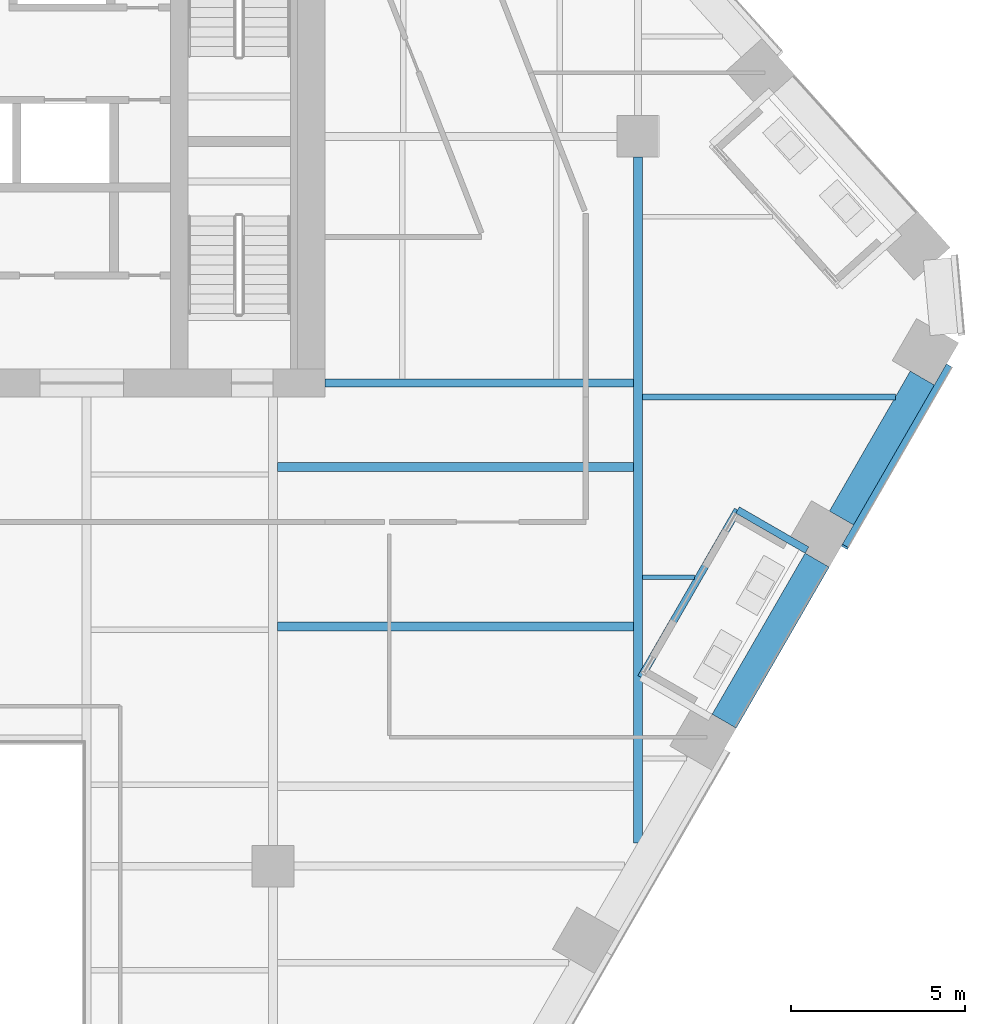
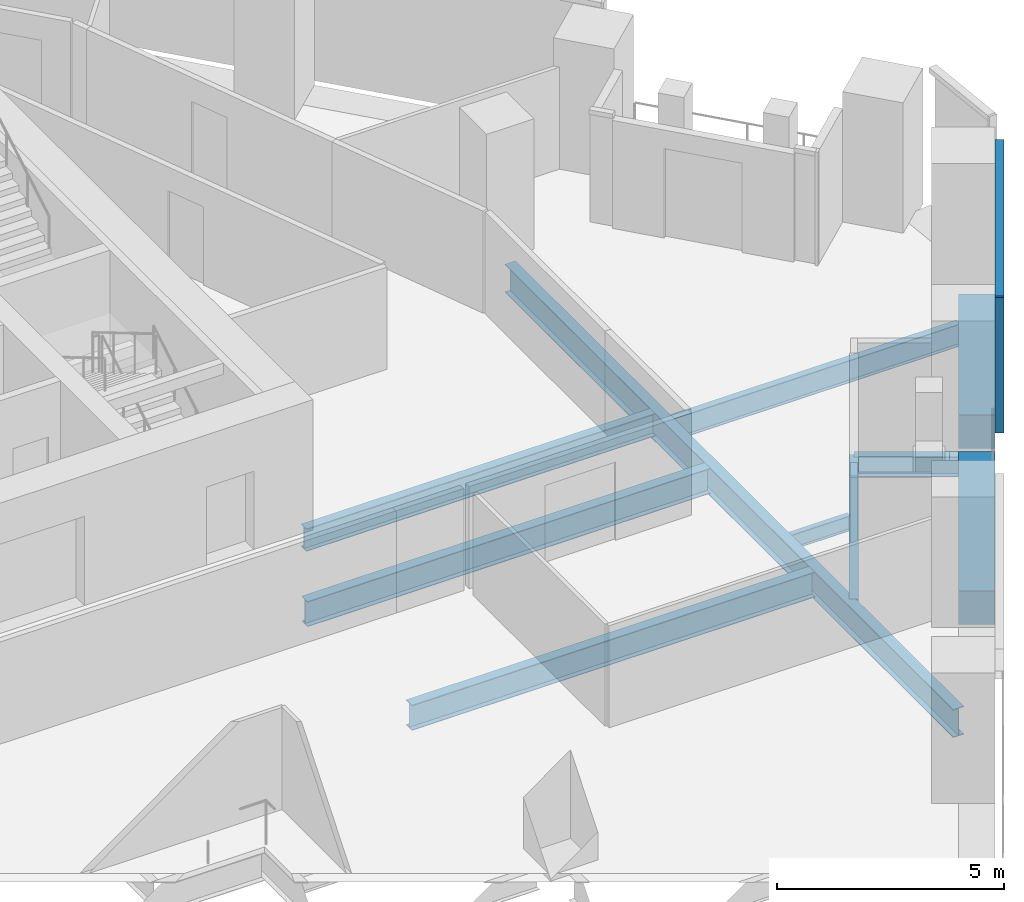
# One storey, part 7 of 26: 10 beams, 2 members, 1 element without a shape of its own.
"""IFC4 building model written with IfcOpenShell, lengths in metres."""

from ifc_helpers import new_model, si_unit, direction, frame, origin, origin_2d, place, context, subcontext, project, spatial, rectangle, i_section, extrude, material, layer, layer_set, material_profile, profile_set, type_object, element, aggregate, save


model = new_model("IFC4")

# Units and contexts
model_context = context("Model", 3, precision=1e-05, world=origin(), true_north=direction((0.0, 1.0)))
body_context = subcontext(model_context, "Body", "Model", "MODEL_VIEW")
ifc_project = project(units=[si_unit("LENGTHUNIT", "METRE"), si_unit("AREAUNIT", "SQUARE_METRE"), si_unit("VOLUMEUNIT", "CUBIC_METRE"), si_unit("PLANEANGLEUNIT", "RADIAN"), si_unit("MASSUNIT", "GRAM", prefix="KILO")], contexts=[model_context])

# Site, building, storey
site_placement = place(None, origin())
site = spatial("IfcSite", under=ifc_project, at=site_placement, CompositionType="ELEMENT")
building_placement = place(site_placement, origin())
building = spatial("IfcBuilding", under=site, at=building_placement, Name="Isthmus Gate Tower", CompositionType="ELEMENT")
storey_placement = place(building_placement, frame((0.0, 0.0, 129.800048828125)))
storey = spatial("IfcBuildingStorey", under=building, at=storey_placement, Name="L31", CompositionType="ELEMENT", Elevation=129.800048828125)

# Curtain wall, members
ifc_material_1 = material(Name="Aluminium, pale champagne anodised", Category="aluminium")
ifc_layer = layer(ifc_material_1, 0.199951171875)
ifc_layer_set = layer_set([ifc_layer], Name="CW-1 UNITISED CURTAIN WALL 200 DEEP")
curtain_wall_type = type_object("IfcCurtainWallType", Name="CW-1 UNITISED CURTAIN WALL 200 DEEP", PredefinedType="NOTDEFINED", material=ifc_layer_set)
curtain_wall_placement = place(storey_placement, origin())
curtain_wall = element("IfcCurtainWall", 1, at=curtain_wall_placement, inside=storey, type_object=curtain_wall_type, Name="CW-1 SE L31", PredefinedType="NOTDEFINED")
ifc_material_2 = material(Name="Aluminium, pale champagne anodised", Category="aluminium")
ifc_material_profile_1 = material_profile(ifc_material_2, rectangle(XDim=0.06005859375, YDim=0.199951171875, at=origin_2d()), Name="60x200")
ifc_profile_set_1 = profile_set([ifc_material_profile_1], Name="Aluminium, pale champagne anodised")
member_type_1 = type_object("IfcMemberType", Name="CW-1 MULLION 60 X 200", PredefinedType="MULLION", material=ifc_profile_set_1)
member_1_placement = place(storey_placement, frame((29.956298828125, -4.314208984375, 0.0), z_axis=(0.0, 0.0, 1.0), x_axis=(0.5, 0.866025403784, 0.0)))
member_1 = element("IfcMember", 2, at=member_1_placement, type_object=member_type_1, Name="CW-1 mullion", PredefinedType="MULLION", context=body_context, shape_type="SweptSolid", body=[
    extrude(rectangle(XDim=0.06005859375, YDim=0.199951171875, at=origin_2d()), origin(), (0.0, 0.0, 1.0), 3.64990234375),
])
ifc_material_3 = material(Name="Aluminium, pale champagne anodised", Category="aluminium")
ifc_material_profile_2 = material_profile(ifc_material_3, rectangle(XDim=0.199951171875, YDim=0.139892578125, at=origin_2d()), Name="200x140")
ifc_profile_set_2 = profile_set([ifc_material_profile_2], Name="Aluminium, pale champagne anodised")
member_type_2 = type_object("IfcMemberType", Name="CW-1 TRANSOM 200 X 140", PredefinedType="USERDEFINED", material=ifc_profile_set_2)
member_2_placement = place(storey_placement, frame((29.97119140625, -4.288330078125, 3.579833984375), z_axis=(0.499996458184, 0.866027448643, 0.0), x_axis=(-0.866027448643, 0.499996458184, 0.0)))
member_2 = element("IfcMember", 3, at=member_2_placement, type_object=member_type_2, Name="CW-1 transom", ObjectType="TRANSOM", PredefinedType="USERDEFINED", context=body_context, shape_type="SweptSolid", body=[
    extrude(rectangle(XDim=0.199951171875, YDim=0.139892578125, at=origin_2d()), origin(), (0.0, 0.0, 1.0), 5.990234375),
])
aggregate(curtain_wall, [member_1, member_2])

# Beams
ifc_material_4 = material(Name="Concrete f'c 60 MPa", Category="concrete")
ifc_material_profile_3 = material_profile(ifc_material_4, rectangle(XDim=0.800048828125, YDim=0.89990234375, at=origin_2d()), Name="RC 800X900")
ifc_profile_set_3 = profile_set([ifc_material_profile_3], Name="Concrete f'c 60 MPa")
beam_type_1 = type_object("IfcBeamType", Name="RC SPANDREL 800 X 900", PredefinedType="SPANDREL", material=ifc_profile_set_3)
beam_1_placement = place(storey_placement, frame((32.183349609375, 0.54296875, -0.449951171875), z_axis=(-0.500023913295, -0.866011596997, 0.0), x_axis=(0.866011596997, -0.500023913295, 0.0)))
element("IfcBeam", 4, at=beam_1_placement, inside=storey, type_object=beam_type_1, Name="str-spandrel-L31-06", PredefinedType="SPANDREL", context=body_context, shape_type="SweptSolid", body=[
    extrude(rectangle(XDim=0.800048828125, YDim=0.89990234375, at=origin_2d()), origin(), (0.0, 0.0, 1.0), 4.650146484375),
])
beam_2_placement = place(storey_placement, frame((29.158203125, -4.696533203125, -0.449951171875), z_axis=(-0.500001594578, -0.866024483152, 0.0), x_axis=(0.866024483152, -0.500001594578, 0.0)))
element("IfcBeam", 5, at=beam_2_placement, inside=storey, type_object=beam_type_1, Name="str-spandrel-L31-07", PredefinedType="SPANDREL", context=body_context, shape_type="SweptSolid", body=[
    extrude(rectangle(XDim=0.800048828125, YDim=0.89990234375, at=origin_2d()), origin(), (0.0, 0.0, 1.0), 5.35009765625),
])
ifc_material_5 = material(Name="Structural steel ASTM A992 Gr 50", Category="steel")
ifc_material_profile_4 = material_profile(ifc_material_5, i_section(OverallWidth=0.1396484375, OverallDepth=0.4033203125, WebThickness=0.00634765625, FlangeThickness=0.010986328125, at=origin_2d()), Name="W16X31")
ifc_profile_set_4 = profile_set([ifc_material_profile_4], Name="Structural steel ASTM A992 Gr 50")
beam_type_2 = type_object("IfcBeamType", Name="STEEL FLOOR BEAM W16X31", PredefinedType="JOIST", material=ifc_profile_set_4)
beam_3_placement = place(storey_placement, frame((24.13330078125, -5.187744140625, -0.3515625), z_axis=(1.0, 0.0, 0.0), x_axis=(0.0, 1.0, 0.0)))
element("IfcBeam", 6, at=beam_3_placement, inside=storey, type_object=beam_type_2, Name="str-beam-L31-19-00", PredefinedType="JOIST", context=body_context, shape_type="SweptSolid", body=[
    extrude(i_section(OverallWidth=0.1396484375, OverallDepth=0.4033203125, WebThickness=0.00634765625, FlangeThickness=0.010986328125, at=origin_2d()), origin(), (0.0, 0.0, 1.0), 1.497314453125),
])
ifc_material_6 = material(Name="Structural steel ASTM A992 Gr 50", Category="steel")
ifc_material_profile_5 = material_profile(ifc_material_6, i_section(OverallWidth=0.177734375, OverallDepth=0.60009765625, WebThickness=0.009521484375, FlangeThickness=0.0126953125, at=origin_2d()), Name="W24X55")
ifc_profile_set_5 = profile_set([ifc_material_profile_5], Name="Structural steel ASTM A992 Gr 50")
beam_type_3 = type_object("IfcBeamType", Name="STEEL FLOOR BEAM W24X55", PredefinedType="JOIST", material=ifc_profile_set_5)
beam_4_placement = place(storey_placement, frame((24.13330078125, -0.00146484375, -0.4501953125), z_axis=(1.0, 0.0, 0.0), x_axis=(0.0, 1.0, 0.0)))
element("IfcBeam", 7, at=beam_4_placement, inside=storey, type_object=beam_type_3, Name="str-beam-L31-19-01", PredefinedType="JOIST", context=body_context, shape_type="SweptSolid", body=[
    extrude(i_section(OverallWidth=0.177734375, OverallDepth=0.60009765625, WebThickness=0.009521484375, FlangeThickness=0.0126953125, at=origin_2d()), origin(), (0.0, 0.0, 1.0), 7.273681640625),
])
ifc_material_7 = material(Name="Structural steel ASTM A992 Gr 50", Category="steel")
ifc_material_profile_6 = material_profile(ifc_material_7, i_section(OverallWidth=0.25390625, OverallDepth=0.679443359375, WebThickness=0.010986328125, FlangeThickness=0.015869140625, at=origin_2d()), Name="W27X84")
ifc_profile_set_6 = profile_set([ifc_material_profile_6], Name="Structural steel ASTM A992 Gr 50")
beam_type_4 = type_object("IfcBeamType", Name="STEEL FLOOR BEAM W27X84", PredefinedType="JOIST", material=ifc_profile_set_6)
for number, where, z_axis, x_axis, name in (
    (8, (13.6318359375, -6.607177734375, -0.48974609375), (1.0, 0.0, 0.0), (0.0, 1.0, 0.0), "str-beam-L31-15-01"),
    (9, (13.6318359375, -2.011962890625, -0.48974609375), (1.0, 0.0, 0.0), (0.0, 1.0, 0.0), "str-beam-L31-15-02"),
):
    element("IfcBeam", number, at=place(storey_placement, frame(where, z_axis=z_axis, x_axis=x_axis)), inside=storey, type_object=beam_type_4, Name=name, PredefinedType="JOIST", context=body_context, shape_type="SweptSolid", body=[
        extrude(i_section(OverallWidth=0.25390625, OverallDepth=0.679443359375, WebThickness=0.010986328125, FlangeThickness=0.015869140625, at=origin_2d()), origin(), (0.0, 0.0, 1.0), 10.23486328125),
    ])
ifc_material_8 = material(Name="Structural steel ASTM A992 Gr 50", Category="steel")
ifc_material_profile_7 = material_profile(ifc_material_8, i_section(OverallWidth=0.228515625, OverallDepth=0.6064453125, WebThickness=0.010986328125, FlangeThickness=0.017578125, at=origin_2d()), Name="W24X76")
ifc_profile_set_7 = profile_set([ifc_material_profile_7], Name="Structural steel ASTM A992 Gr 50")
beam_type_5 = type_object("IfcBeamType", Name="STEEL GIRDER W24X76", PredefinedType="BEAM", material=ifc_profile_set_7)
beam_5_placement = place(storey_placement, frame((15.0, 0.39990234375, -0.453369140625), z_axis=(1.0, 0.0, 0.0), x_axis=(0.0, 1.0, 0.0)))
element("IfcBeam", 10, at=beam_5_placement, inside=storey, type_object=beam_type_5, Name="str-girder-L31-13", PredefinedType="BEAM", context=body_context, shape_type="SweptSolid", body=[
    extrude(i_section(OverallWidth=0.228515625, OverallDepth=0.6064453125, WebThickness=0.010986328125, FlangeThickness=0.017578125, at=origin_2d()), origin(), (0.0, 0.0, 1.0), 8.86669921875),
])
ifc_material_9 = material(Name="Structural steel ASTM A992 Gr 50", Category="steel")
ifc_material_profile_8 = material_profile(ifc_material_9, i_section(OverallWidth=0.2666015625, OverallDepth=0.7587890625, WebThickness=0.014404296875, FlangeThickness=0.01904296875, at=origin_2d()), Name="W30X108")
ifc_profile_set_8 = profile_set([ifc_material_profile_8], Name="Structural steel ASTM A992 Gr 50")
beam_type_6 = type_object("IfcBeamType", Name="STEEL GIRDER W30X108", PredefinedType="BEAM", material=ifc_profile_set_8)
beam_6_placement = place(storey_placement, frame((24.0, -12.830810546875, -0.529541015625), z_axis=(0.0, 1.0, 0.0), x_axis=(-1.0, 0.0, 0.0)))
element("IfcBeam", 11, at=beam_6_placement, inside=storey, type_object=beam_type_6, Name="str-girder-L31-10", PredefinedType="BEAM", context=body_context, shape_type="SweptSolid", body=[
    extrude(i_section(OverallWidth=0.2666015625, OverallDepth=0.7587890625, WebThickness=0.014404296875, FlangeThickness=0.01904296875, at=origin_2d()), origin(), (0.0, 0.0, 1.0), 19.730712890625),
])
ifc_material_10 = material(Name="Structural steel ASTM A992 Gr 50", Category="steel")
ifc_material_profile_9 = material_profile(ifc_material_10, i_section(OverallWidth=0.20947265625, OverallDepth=0.533447265625, WebThickness=0.009521484375, FlangeThickness=0.015869140625, at=origin_2d()), Name="W21X62")
ifc_profile_set_9 = profile_set([ifc_material_profile_9], Name="Structural steel ASTM A992 Gr 50")
beam_type_7 = type_object("IfcBeamType", Name="STEEL TRIMMER W21X62", PredefinedType="BEAM", material=ifc_profile_set_9)
beam_7_placement = place(storey_placement, frame((24.08837890625, -8.068115234375, -0.416748046875), z_axis=(0.50000248139, 0.866023971148, 0.0), x_axis=(-0.866023971148, 0.50000248139, 0.0)))
element("IfcBeam", 12, at=beam_7_placement, inside=storey, type_object=beam_type_7, Name="str-loggiatrim-L31-04-B", PredefinedType="BEAM", context=body_context, shape_type="SweptSolid", body=[
    extrude(i_section(OverallWidth=0.20947265625, OverallDepth=0.533447265625, WebThickness=0.009521484375, FlangeThickness=0.015869140625, at=origin_2d()), origin(), (0.0, 0.0, 1.0), 5.5595703125),
])
beam_8_placement = place(storey_placement, frame((28.8642578125, -4.40576171875, -0.416748046875), z_axis=(-0.866044474677, 0.49996696679, 0.0), x_axis=(-0.49996696679, -0.866044474677, 0.0)))
element("IfcBeam", 13, at=beam_8_placement, inside=storey, type_object=beam_type_7, Name="str-loggiatrim-L31-04-C", PredefinedType="BEAM", context=body_context, shape_type="SweptSolid", body=[
    extrude(i_section(OverallWidth=0.20947265625, OverallDepth=0.533447265625, WebThickness=0.009521484375, FlangeThickness=0.015869140625, at=origin_2d()), origin(), (0.0, 0.0, 1.0), 2.304931640625),
])

save(model, "model.ifc")
